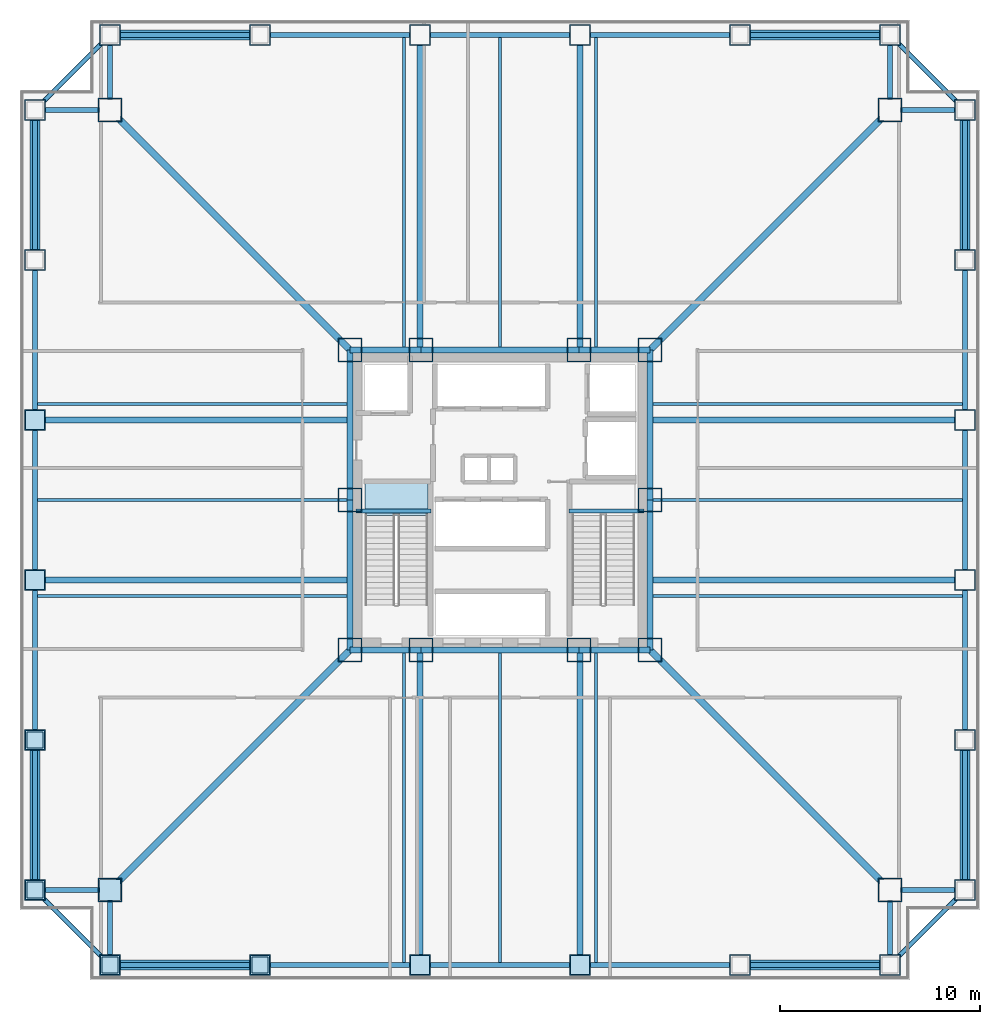
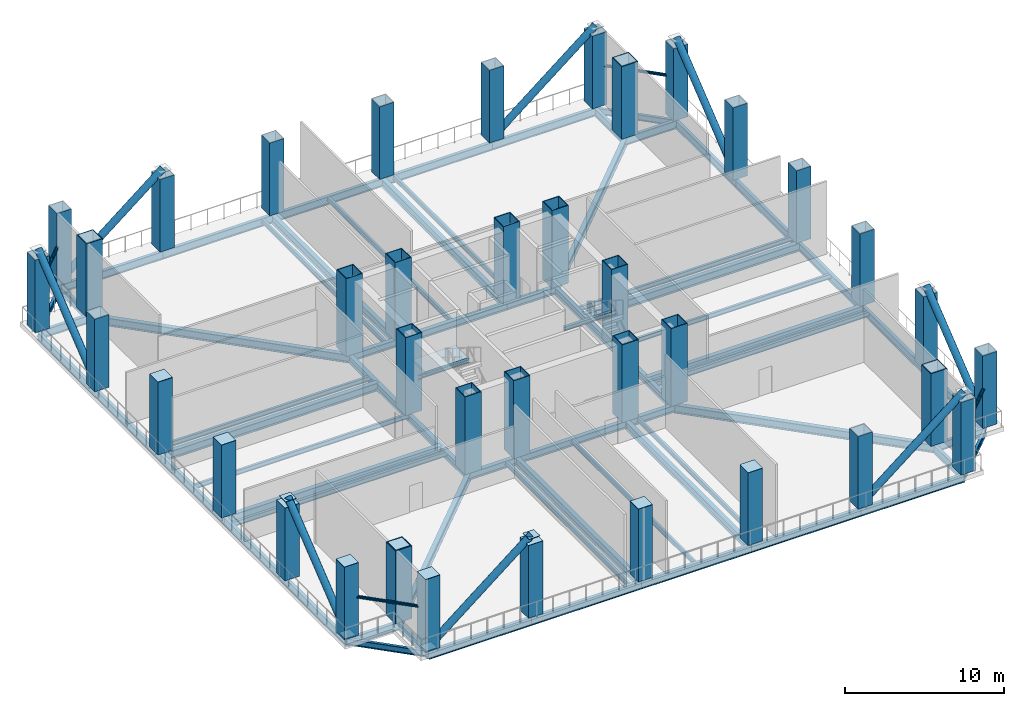
# One storey, part 1 of 7: 68 beams, 38 columns, 13 plates, 12 members, 1 slab, 1 element without a shape of its own.
"""IFC4 building model written with IfcOpenShell, lengths in metres."""

from ifc_helpers import new_model, si_unit, direction, frame, origin, origin_2d, place, context, subcontext, project, spatial, polyline, rectangle, hollow_rectangle, hollow_circle, i_section, outline, extrude, material, layer, layer_set, material_profile, profile_set, type_object, element, aggregate, save


model = new_model("IFC4")

# Units and contexts
model_context = context("Model", 3, precision=1e-05, world=origin(), true_north=direction((0.0, 1.0)))
body_context = subcontext(model_context, "Body", "Model", "MODEL_VIEW")
ifc_project = project(units=[si_unit("LENGTHUNIT", "METRE"), si_unit("AREAUNIT", "SQUARE_METRE"), si_unit("VOLUMEUNIT", "CUBIC_METRE"), si_unit("PLANEANGLEUNIT", "RADIAN"), si_unit("MASSUNIT", "GRAM", prefix="KILO")], contexts=[model_context])

# Site, building, storey
site_placement = place(None, origin())
site = spatial("IfcSite", under=ifc_project, at=site_placement, CompositionType="ELEMENT")
building_placement = place(site_placement, origin())
building = spatial("IfcBuilding", under=site, at=building_placement, Name="Trevonay Congress Spire", CompositionType="ELEMENT")
storey_placement = place(building_placement, frame((0.0, 0.0, 88.0)))
storey = spatial("IfcBuildingStorey", under=building, at=storey_placement, Name="L22", CompositionType="ELEMENT", Elevation=88.0)

# Columns
ifc_material_1 = material(Name="Steel ASTM A572 Grade 50", Category="steel")
ifc_material_profile_1 = material_profile(ifc_material_1, hollow_rectangle(XDim=1.199951171875, YDim=1.199951171875, WallThickness=0.054931640625, at=origin_2d()), Name="BOX 1200x1200x55")
ifc_profile_set_1 = profile_set([ifc_material_profile_1], Name="Steel ASTM A572 Grade 50")
column_type_1 = type_object("IfcColumnType", Name="COL-CORE-BOX1200", PredefinedType="COLUMN", material=ifc_profile_set_1)
for number, where, z_axis, x_axis, name in (
    (1, (-7.5, -7.5, 0.0), (0.0, 0.0, 1.0), (1.0, 0.0, 0.0), "L22 column C02 at CC-SW"),
    (2, (-3.949951171875, -7.5, 0.0), (0.0, 0.0, 1.0), (1.0, 0.0, 0.0), "L22 column C02 at CC-SMW"),
    (3, (3.949951171875, -7.5, 0.0), (0.0, 0.0, 1.0), (1.0, 0.0, 0.0), "L22 column C02 at CC-SME"),
    (4, (7.5, -7.5, 0.0), (0.0, 0.0, 1.0), (1.0, 0.0, 0.0), "L22 column C02 at CC-SE"),
    (5, (7.5, 0.0, 0.0), (0.0, 0.0, 1.0), (1.0, 0.0, 0.0), "L22 column C02 at CC-E"),
    (6, (7.5, 7.5, 0.0), (0.0, 0.0, 1.0), (1.0, 0.0, 0.0), "L22 column C02 at CC-NE"),
    (7, (3.949951171875, 7.5, 0.0), (0.0, 0.0, 1.0), (1.0, 0.0, 0.0), "L22 column C02 at CC-NME"),
    (8, (-3.949951171875, 7.5, 0.0), (0.0, 0.0, 1.0), (1.0, 0.0, 0.0), "L22 column C02 at CC-NMW"),
    (9, (-7.5, 7.5, 0.0), (0.0, 0.0, 1.0), (1.0, 0.0, 0.0), "L22 column C02 at CC-NW"),
    (10, (-7.5, 0.0, 0.0), (0.0, 0.0, 1.0), (1.0, 0.0, 0.0), "L22 column C02 at CC-W"),
):
    element("IfcColumn", number, at=place(storey_placement, frame(where, z_axis=z_axis, x_axis=x_axis)), inside=storey, type_object=column_type_1, Name=name, PredefinedType="COLUMN", context=body_context, shape_type="SweptSolid", body=[
        extrude(hollow_rectangle(XDim=1.199951171875, YDim=1.199951171875, WallThickness=0.054931640625, at=origin_2d()), origin(), (0.0, 0.0, 1.0), 6.0),
    ])
ifc_material_profile_2 = material_profile(ifc_material_1, hollow_rectangle(XDim=1.199951171875, YDim=1.199951171875, WallThickness=0.054931640625, at=origin_2d()), Name="BOX 1200x1200x55")
ifc_profile_set_2 = profile_set([ifc_material_profile_2], Name="Steel ASTM A572 Grade 50")
column_type_2 = type_object("IfcColumnType", Name="COL-NOTCH-BOX1200", PredefinedType="COLUMN", material=ifc_profile_set_2)
for number, where, z_axis, x_axis, name in (
    (11, (-19.5, -19.5, 0.0), (0.0, 0.0, 1.0), (1.0, 0.0, 0.0), "L22 column C19 at NC-SW"),
    (12, (19.5, -19.5, 0.0), (0.0, 0.0, 1.0), (1.0, 0.0, 0.0), "L22 column C19 at NC-SE"),
    (13, (19.5, 19.5, 0.0), (0.0, 0.0, 1.0), (1.0, 0.0, 0.0), "L22 column C19 at NC-NE"),
    (14, (-19.5, 19.5, 0.0), (0.0, 0.0, 1.0), (1.0, 0.0, 0.0), "L22 column C19 at NC-NW"),
):
    element("IfcColumn", number, at=place(storey_placement, frame(where, z_axis=z_axis, x_axis=x_axis)), inside=storey, type_object=column_type_2, Name=name, PredefinedType="COLUMN", context=body_context, shape_type="SweptSolid", body=[
        extrude(hollow_rectangle(XDim=1.199951171875, YDim=1.199951171875, WallThickness=0.054931640625, at=origin_2d()), origin(), (0.0, 0.0, 1.0), 5.60009765625),
    ])
ifc_material_profile_3 = material_profile(ifc_material_1, hollow_rectangle(XDim=1.050048828125, YDim=1.050048828125, WallThickness=0.050048828125, at=origin_2d()), Name="BOX 1050x1050x50")
ifc_profile_set_3 = profile_set([ifc_material_profile_3], Name="Steel ASTM A572 Grade 50")
column_type_3 = type_object("IfcColumnType", Name="COL-TUBE-BOX1050", PredefinedType="COLUMN", material=ifc_profile_set_3)
for number, where, z_axis, x_axis, name in (
    (15, (-19.5, -23.25, 0.0), (0.0, 0.0, 1.0), (1.0, 0.0, 0.0), "L22 column C14 at TS-1"),
    (16, (-19.5, 23.25, 0.0), (0.0, 0.0, 1.0), (1.0, 0.0, 0.0), "L22 column C14 at TN-1"),
    (17, (-23.25, -19.5, 0.0), (0.0, 0.0, 1.0), (1.0, 0.0, 0.0), "L22 column C14 at TW-1"),
    (18, (23.25, -19.5, 0.0), (0.0, 0.0, 1.0), (1.0, 0.0, 0.0), "L22 column C14 at TE-1"),
    (19, (-12.0, -23.25, 0.0), (0.0, 0.0, 1.0), (1.0, 0.0, 0.0), "L22 column C14 at TS-2"),
    (20, (-12.0, 23.25, 0.0), (0.0, 0.0, 1.0), (1.0, 0.0, 0.0), "L22 column C14 at TN-2"),
    (21, (-23.25, -12.0, 0.0), (0.0, 0.0, 1.0), (1.0, 0.0, 0.0), "L22 column C14 at TW-2"),
    (22, (23.25, -12.0, 0.0), (0.0, 0.0, 1.0), (1.0, 0.0, 0.0), "L22 column C14 at TE-2"),
    (23, (-4.0, -23.25, 0.0), (0.0, 0.0, 1.0), (1.0, 0.0, 0.0), "L22 column C14 at TS-3"),
    (24, (-4.0, 23.25, 0.0), (0.0, 0.0, 1.0), (1.0, 0.0, 0.0), "L22 column C14 at TN-3"),
    (25, (-23.25, -4.0, 0.0), (0.0, 0.0, 1.0), (1.0, 0.0, 0.0), "L22 column C14 at TW-3"),
    (26, (23.25, -4.0, 0.0), (0.0, 0.0, 1.0), (1.0, 0.0, 0.0), "L22 column C14 at TE-3"),
    (27, (4.0, -23.25, 0.0), (0.0, 0.0, 1.0), (1.0, 0.0, 0.0), "L22 column C14 at TS-4"),
    (28, (4.0, 23.25, 0.0), (0.0, 0.0, 1.0), (1.0, 0.0, 0.0), "L22 column C14 at TN-4"),
    (29, (-23.25, 4.0, 0.0), (0.0, 0.0, 1.0), (1.0, 0.0, 0.0), "L22 column C14 at TW-4"),
    (30, (23.25, 4.0, 0.0), (0.0, 0.0, 1.0), (1.0, 0.0, 0.0), "L22 column C14 at TE-4"),
    (31, (12.0, -23.25, 0.0), (0.0, 0.0, 1.0), (1.0, 0.0, 0.0), "L22 column C14 at TS-5"),
    (32, (12.0, 23.25, 0.0), (0.0, 0.0, 1.0), (1.0, 0.0, 0.0), "L22 column C14 at TN-5"),
    (33, (-23.25, 12.0, 0.0), (0.0, 0.0, 1.0), (1.0, 0.0, 0.0), "L22 column C14 at TW-5"),
    (34, (23.25, 12.0, 0.0), (0.0, 0.0, 1.0), (1.0, 0.0, 0.0), "L22 column C14 at TE-5"),
    (35, (19.5, -23.25, 0.0), (0.0, 0.0, 1.0), (1.0, 0.0, 0.0), "L22 column C14 at TS-6"),
    (36, (19.5, 23.25, 0.0), (0.0, 0.0, 1.0), (1.0, 0.0, 0.0), "L22 column C14 at TN-6"),
    (37, (-23.25, 19.5, 0.0), (0.0, 0.0, 1.0), (1.0, 0.0, 0.0), "L22 column C14 at TW-6"),
    (38, (23.25, 19.5, 0.0), (0.0, 0.0, 1.0), (1.0, 0.0, 0.0), "L22 column C14 at TE-6"),
):
    element("IfcColumn", number, at=place(storey_placement, frame(where, z_axis=z_axis, x_axis=x_axis)), inside=storey, type_object=column_type_3, Name=name, PredefinedType="COLUMN", context=body_context, shape_type="SweptSolid", body=[
        extrude(hollow_rectangle(XDim=1.050048828125, YDim=1.050048828125, WallThickness=0.050048828125, at=origin_2d()), origin(), (0.0, 0.0, 1.0), 5.60009765625),
    ])

# Beams
ifc_material_profile_4 = material_profile(ifc_material_1, i_section(OverallWidth=0.31201171875, OverallDepth=0.54296875, WebThickness=0.0126953125, FlangeThickness=0.020263671875, FilletRadius=0.014892578125, at=origin_2d()), Name="W530x150")
ifc_profile_set_4 = profile_set([ifc_material_profile_4], Name="Steel ASTM A572 Grade 50")
beam_type_1 = type_object("IfcBeamType", Name="BM-GIRD-W530X150", PredefinedType="BEAM", material=ifc_profile_set_4)
beam_1_placement = place(storey_placement, frame((-7.5, -7.5, -0.62158203125), z_axis=(1.0, 0.0, 0.0), x_axis=(0.0, 1.0, 0.0)))
element("IfcBeam", 39, at=beam_1_placement, inside=storey, type_object=beam_type_1, Name="L22 structural beam BM-L22-CR-S1", PredefinedType="BEAM", context=body_context, shape_type="SweptSolid", body=[
    extrude(i_section(OverallWidth=0.31201171875, OverallDepth=0.54296875, WebThickness=0.0126953125, FlangeThickness=0.020263671875, FilletRadius=0.014892578125, at=origin_2d()), origin(), (0.0, 0.0, 1.0), 3.550048828125),
])
beam_2_placement = place(storey_placement, frame((-3.949951171875, -7.5, -0.62158203125), z_axis=(1.0, 0.0, 0.0), x_axis=(0.0, 1.0, 0.0)))
element("IfcBeam", 40, at=beam_2_placement, inside=storey, type_object=beam_type_1, Name="L22 structural beam BM-L22-CR-S2", PredefinedType="BEAM", context=body_context, shape_type="SweptSolid", body=[
    extrude(i_section(OverallWidth=0.31201171875, OverallDepth=0.54296875, WebThickness=0.0126953125, FlangeThickness=0.020263671875, FilletRadius=0.014892578125, at=origin_2d()), origin(), (0.0, 0.0, 1.0), 7.89990234375),
])
for number, where, z_axis, x_axis, name in (
    (41, (3.949951171875, -7.5, -0.62158203125), (1.0, 0.0, 0.0), (0.0, 1.0, 0.0), "L22 structural beam BM-L22-CR-S3"),
    (42, (-7.5, 7.5, -0.62158203125), (1.0, 0.0, 0.0), (0.0, 1.0, 0.0), "L22 structural beam BM-L22-CR-N1"),
):
    element("IfcBeam", number, at=place(storey_placement, frame(where, z_axis=z_axis, x_axis=x_axis)), inside=storey, type_object=beam_type_1, Name=name, PredefinedType="BEAM", context=body_context, shape_type="SweptSolid", body=[
        extrude(i_section(OverallWidth=0.31201171875, OverallDepth=0.54296875, WebThickness=0.0126953125, FlangeThickness=0.020263671875, FilletRadius=0.014892578125, at=origin_2d()), origin(), (0.0, 0.0, 1.0), 3.550048828125),
    ])
beam_3_placement = place(storey_placement, frame((-3.949951171875, 7.5, -0.62158203125), z_axis=(1.0, 0.0, 0.0), x_axis=(0.0, 1.0, 0.0)))
element("IfcBeam", 43, at=beam_3_placement, inside=storey, type_object=beam_type_1, Name="L22 structural beam BM-L22-CR-N2", PredefinedType="BEAM", context=body_context, shape_type="SweptSolid", body=[
    extrude(i_section(OverallWidth=0.31201171875, OverallDepth=0.54296875, WebThickness=0.0126953125, FlangeThickness=0.020263671875, FilletRadius=0.014892578125, at=origin_2d()), origin(), (0.0, 0.0, 1.0), 7.89990234375),
])
beam_4_placement = place(storey_placement, frame((3.949951171875, 7.5, -0.62158203125), z_axis=(1.0, 0.0, 0.0), x_axis=(0.0, 1.0, 0.0)))
element("IfcBeam", 44, at=beam_4_placement, inside=storey, type_object=beam_type_1, Name="L22 structural beam BM-L22-CR-N3", PredefinedType="BEAM", context=body_context, shape_type="SweptSolid", body=[
    extrude(i_section(OverallWidth=0.31201171875, OverallDepth=0.54296875, WebThickness=0.0126953125, FlangeThickness=0.020263671875, FilletRadius=0.014892578125, at=origin_2d()), origin(), (0.0, 0.0, 1.0), 3.550048828125),
])
for number, where, z_axis, x_axis, name in (
    (45, (-7.5, -7.5, -0.62158203125), (0.0, 1.0, 0.0), (-1.0, 0.0, 0.0), "L22 structural beam BM-L22-CR-W1"),
    (46, (-7.5, 0.0, -0.62158203125), (0.0, 1.0, 0.0), (-1.0, 0.0, 0.0), "L22 structural beam BM-L22-CR-W2"),
    (47, (7.5, -7.5, -0.62158203125), (0.0, 1.0, 0.0), (-1.0, 0.0, 0.0), "L22 structural beam BM-L22-CR-E1"),
    (48, (7.5, 0.0, -0.62158203125), (0.0, 1.0, 0.0), (-1.0, 0.0, 0.0), "L22 structural beam BM-L22-CR-E2"),
):
    element("IfcBeam", number, at=place(storey_placement, frame(where, z_axis=z_axis, x_axis=x_axis)), inside=storey, type_object=beam_type_1, Name=name, PredefinedType="BEAM", context=body_context, shape_type="SweptSolid", body=[
        extrude(i_section(OverallWidth=0.31201171875, OverallDepth=0.54296875, WebThickness=0.0126953125, FlangeThickness=0.020263671875, FilletRadius=0.014892578125, at=origin_2d()), origin(), (0.0, 0.0, 1.0), 7.5),
    ])
ifc_material_profile_5 = material_profile(ifc_material_1, i_section(OverallWidth=0.324951171875, OverallDepth=0.615966796875, WebThickness=0.013916015625, FlangeThickness=0.021484375, FilletRadius=0.01806640625, at=origin_2d()), Name="W610x174")
ifc_profile_set_5 = profile_set([ifc_material_profile_5], Name="Steel ASTM A572 Grade 50")
beam_type_2 = type_object("IfcBeamType", Name="BM-GIRD-W610X174", PredefinedType="BEAM", material=ifc_profile_set_5)
for number, where, z_axis, x_axis, name in (
    (49, (-7.5, -7.5, -0.657958984375), (-0.707106781187, -0.707106781187, 0.0), (0.707106781187, -0.707106781187, 0.0), "L22 structural beam BM-L22-CDSW"),
    (50, (7.5, -7.5, -0.657958984375), (0.707106781187, -0.707106781187, 0.0), (0.707106781187, 0.707106781187, 0.0), "L22 structural beam BM-L22-CDSE"),
    (51, (7.5, 7.5, -0.657958984375), (0.707106781187, 0.707106781187, 0.0), (-0.707106781187, 0.707106781187, 0.0), "L22 structural beam BM-L22-CDNE"),
    (52, (-7.5, 7.5, -0.657958984375), (-0.707106781187, 0.707106781187, 0.0), (-0.707106781187, -0.707106781187, 0.0), "L22 structural beam BM-L22-CDNW"),
):
    element("IfcBeam", number, at=place(storey_placement, frame(where, z_axis=z_axis, x_axis=x_axis)), inside=storey, type_object=beam_type_2, Name=name, PredefinedType="BEAM", context=body_context, shape_type="SweptSolid", body=[
        extrude(i_section(OverallWidth=0.324951171875, OverallDepth=0.615966796875, WebThickness=0.013916015625, FlangeThickness=0.021484375, FilletRadius=0.01806640625, at=origin_2d()), origin(), (0.0, 0.0, 1.0), 16.970458984375),
    ])
for number, where, z_axis, x_axis, name in (
    (53, (-4.0, -7.5, -0.657958984375), (0.0, -1.0, 0.0), (1.0, 0.0, 0.0), "L22 structural beam BM-L22-GS-M"),
    (54, (-4.0, 7.5, -0.657958984375), (0.0, 1.0, 0.0), (-1.0, 0.0, 0.0), "L22 structural beam BM-L22-GN-M"),
    (55, (-7.5, -4.0, -0.657958984375), (-1.0, 0.0, 0.0), (0.0, -1.0, 0.0), "L22 structural beam BM-L22-GW-M"),
    (56, (7.5, -4.0, -0.657958984375), (1.0, 0.0, 0.0), (0.0, 1.0, 0.0), "L22 structural beam BM-L22-GE-M"),
    (57, (4.0, -7.5, -0.657958984375), (0.0, -1.0, 0.0), (1.0, 0.0, 0.0), "L22 structural beam BM-L22-GS-P"),
    (58, (4.0, 7.5, -0.657958984375), (0.0, 1.0, 0.0), (-1.0, 0.0, 0.0), "L22 structural beam BM-L22-GN-P"),
    (59, (-7.5, 4.0, -0.657958984375), (-1.0, 0.0, 0.0), (0.0, -1.0, 0.0), "L22 structural beam BM-L22-GW-P"),
    (60, (7.5, 4.0, -0.657958984375), (1.0, 0.0, 0.0), (0.0, 1.0, 0.0), "L22 structural beam BM-L22-GE-P"),
):
    element("IfcBeam", number, at=place(storey_placement, frame(where, z_axis=z_axis, x_axis=x_axis)), inside=storey, type_object=beam_type_2, Name=name, PredefinedType="BEAM", context=body_context, shape_type="SweptSolid", body=[
        extrude(i_section(OverallWidth=0.324951171875, OverallDepth=0.615966796875, WebThickness=0.013916015625, FlangeThickness=0.021484375, FilletRadius=0.01806640625, at=origin_2d()), origin(), (0.0, 0.0, 1.0), 15.75),
    ])
ifc_material_profile_6 = material_profile(ifc_material_1, i_section(OverallWidth=0.22998046875, OverallDepth=0.616943359375, WebThickness=0.01318359375, FlangeThickness=0.022216796875, FilletRadius=0.01611328125, at=origin_2d()), Name="W610x140")
ifc_profile_set_6 = profile_set([ifc_material_profile_6], Name="Steel ASTM A572 Grade 50")
beam_type_3 = type_object("IfcBeamType", Name="BM-RING-W610X140", PredefinedType="BEAM", material=ifc_profile_set_6)
for number, where, z_axis, x_axis, name in (
    (61, (-19.5, -23.25, -0.658447265625), (1.0, 0.0, 0.0), (0.0, 1.0, 0.0), "L22 structural beam BM-L22-PS1"),
    (62, (-19.5, 23.25, -0.658447265625), (1.0, 0.0, 0.0), (0.0, 1.0, 0.0), "L22 structural beam BM-L22-PN1"),
    (63, (-23.25, -19.5, -0.658447265625), (0.0, 1.0, 0.0), (-1.0, 0.0, 0.0), "L22 structural beam BM-L22-PW1"),
    (64, (23.25, -19.5, -0.658447265625), (0.0, 1.0, 0.0), (-1.0, 0.0, 0.0), "L22 structural beam BM-L22-PE1"),
):
    element("IfcBeam", number, at=place(storey_placement, frame(where, z_axis=z_axis, x_axis=x_axis)), inside=storey, type_object=beam_type_3, Name=name, PredefinedType="BEAM", context=body_context, shape_type="SweptSolid", body=[
        extrude(i_section(OverallWidth=0.22998046875, OverallDepth=0.616943359375, WebThickness=0.01318359375, FlangeThickness=0.022216796875, FilletRadius=0.01611328125, at=origin_2d()), origin(), (0.0, 0.0, 1.0), 7.5),
    ])
for number, where, z_axis, x_axis, name in (
    (65, (-12.0, -23.25, -0.658447265625), (1.0, 0.0, 0.0), (0.0, 1.0, 0.0), "L22 structural beam BM-L22-PS2"),
    (66, (-12.0, 23.25, -0.658447265625), (1.0, 0.0, 0.0), (0.0, 1.0, 0.0), "L22 structural beam BM-L22-PN2"),
    (67, (-23.25, -12.0, -0.658447265625), (0.0, 1.0, 0.0), (-1.0, 0.0, 0.0), "L22 structural beam BM-L22-PW2"),
    (68, (23.25, -12.0, -0.658447265625), (0.0, 1.0, 0.0), (-1.0, 0.0, 0.0), "L22 structural beam BM-L22-PE2"),
    (69, (-4.0, -23.25, -0.658447265625), (1.0, 0.0, 0.0), (0.0, 1.0, 0.0), "L22 structural beam BM-L22-PS3"),
    (70, (-4.0, 23.25, -0.658447265625), (1.0, 0.0, 0.0), (0.0, 1.0, 0.0), "L22 structural beam BM-L22-PN3"),
    (71, (-23.25, -4.0, -0.658447265625), (0.0, 1.0, 0.0), (-1.0, 0.0, 0.0), "L22 structural beam BM-L22-PW3"),
    (72, (23.25, -4.0, -0.658447265625), (0.0, 1.0, 0.0), (-1.0, 0.0, 0.0), "L22 structural beam BM-L22-PE3"),
    (73, (4.0, -23.25, -0.658447265625), (1.0, 0.0, 0.0), (0.0, 1.0, 0.0), "L22 structural beam BM-L22-PS4"),
    (74, (4.0, 23.25, -0.658447265625), (1.0, 0.0, 0.0), (0.0, 1.0, 0.0), "L22 structural beam BM-L22-PN4"),
    (75, (-23.25, 4.0, -0.658447265625), (0.0, 1.0, 0.0), (-1.0, 0.0, 0.0), "L22 structural beam BM-L22-PW4"),
    (76, (23.25, 4.0, -0.658447265625), (0.0, 1.0, 0.0), (-1.0, 0.0, 0.0), "L22 structural beam BM-L22-PE4"),
):
    element("IfcBeam", number, at=place(storey_placement, frame(where, z_axis=z_axis, x_axis=x_axis)), inside=storey, type_object=beam_type_3, Name=name, PredefinedType="BEAM", context=body_context, shape_type="SweptSolid", body=[
        extrude(i_section(OverallWidth=0.22998046875, OverallDepth=0.616943359375, WebThickness=0.01318359375, FlangeThickness=0.022216796875, FilletRadius=0.01611328125, at=origin_2d()), origin(), (0.0, 0.0, 1.0), 8.0),
    ])
for number, where, z_axis, x_axis, name in (
    (77, (12.0, -23.25, -0.658447265625), (1.0, 0.0, 0.0), (0.0, 1.0, 0.0), "L22 structural beam BM-L22-PS5"),
    (78, (12.0, 23.25, -0.658447265625), (1.0, 0.0, 0.0), (0.0, 1.0, 0.0), "L22 structural beam BM-L22-PN5"),
    (79, (-23.25, 12.0, -0.658447265625), (0.0, 1.0, 0.0), (-1.0, 0.0, 0.0), "L22 structural beam BM-L22-PW5"),
    (80, (23.25, 12.0, -0.658447265625), (0.0, 1.0, 0.0), (-1.0, 0.0, 0.0), "L22 structural beam BM-L22-PE5"),
):
    element("IfcBeam", number, at=place(storey_placement, frame(where, z_axis=z_axis, x_axis=x_axis)), inside=storey, type_object=beam_type_3, Name=name, PredefinedType="BEAM", context=body_context, shape_type="SweptSolid", body=[
        extrude(i_section(OverallWidth=0.22998046875, OverallDepth=0.616943359375, WebThickness=0.01318359375, FlangeThickness=0.022216796875, FilletRadius=0.01611328125, at=origin_2d()), origin(), (0.0, 0.0, 1.0), 7.5),
    ])
for number, where, z_axis, x_axis, name in (
    (81, (-19.5, -23.25, -0.658447265625), (0.0, 1.0, 0.0), (-1.0, 0.0, 0.0), "L22 structural beam BM-L22-N1SW"),
    (82, (-23.25, -19.5, -0.658447265625), (1.0, 0.0, 0.0), (0.0, 1.0, 0.0), "L22 structural beam BM-L22-N2SW"),
    (83, (19.5, -23.25, -0.658447265625), (0.0, 1.0, 0.0), (-1.0, 0.0, 0.0), "L22 structural beam BM-L22-N1SE"),
    (84, (23.25, -19.5, -0.658447265625), (-1.0, 0.0, 0.0), (0.0, -1.0, 0.0), "L22 structural beam BM-L22-N2SE"),
    (85, (19.5, 23.25, -0.658447265625), (0.0, -1.0, 0.0), (1.0, 0.0, 0.0), "L22 structural beam BM-L22-N1NE"),
    (86, (23.25, 19.5, -0.658447265625), (-1.0, 0.0, 0.0), (0.0, -1.0, 0.0), "L22 structural beam BM-L22-N2NE"),
    (87, (-19.5, 23.25, -0.658447265625), (0.0, -1.0, 0.0), (1.0, 0.0, 0.0), "L22 structural beam BM-L22-N1NW"),
    (88, (-23.25, 19.5, -0.658447265625), (1.0, 0.0, 0.0), (0.0, 1.0, 0.0), "L22 structural beam BM-L22-N2NW"),
):
    element("IfcBeam", number, at=place(storey_placement, frame(where, z_axis=z_axis, x_axis=x_axis)), inside=storey, type_object=beam_type_3, Name=name, PredefinedType="BEAM", context=body_context, shape_type="SweptSolid", body=[
        extrude(i_section(OverallWidth=0.22998046875, OverallDepth=0.616943359375, WebThickness=0.01318359375, FlangeThickness=0.022216796875, FilletRadius=0.01611328125, at=origin_2d()), origin(), (0.0, 0.0, 1.0), 3.75),
    ])
ifc_material_profile_7 = material_profile(ifc_material_1, i_section(OverallWidth=0.172119140625, OverallDepth=0.35791015625, WebThickness=0.0078125, FlangeThickness=0.01318359375, FilletRadius=0.011962890625, at=origin_2d()), Name="W360x57.8")
ifc_profile_set_7 = profile_set([ifc_material_profile_7], Name="Steel ASTM A572 Grade 50")
beam_type_4 = type_object("IfcBeamType", Name="JS-COMP-W360X57", PredefinedType="JOIST", material=ifc_profile_set_7)
for number, where, z_axis, x_axis, name in (
    (89, (-4.800048828125, -23.25, -0.529052734375), (0.0, 1.0, 0.0), (-1.0, 0.0, 0.0), "L22 structural beam JS-L22-NS-S1"),
    (90, (-4.800048828125, 7.5, -0.529052734375), (0.0, 1.0, 0.0), (-1.0, 0.0, 0.0), "L22 structural beam JS-L22-NS-N1"),
    (91, (-23.25, -4.800048828125, -0.529052734375), (1.0, 0.0, 0.0), (0.0, 1.0, 0.0), "L22 structural beam JS-L22-EW-W1"),
    (92, (7.5, -4.800048828125, -0.529052734375), (1.0, 0.0, 0.0), (0.0, 1.0, 0.0), "L22 structural beam JS-L22-EW-E1"),
    (93, (0.0, -23.25, -0.529052734375), (0.0, 1.0, 0.0), (-1.0, 0.0, 0.0), "L22 structural beam JS-L22-NS-S2"),
    (94, (0.0, 7.5, -0.529052734375), (0.0, 1.0, 0.0), (-1.0, 0.0, 0.0), "L22 structural beam JS-L22-NS-N2"),
    (95, (-23.25, 0.0, -0.529052734375), (1.0, 0.0, 0.0), (0.0, 1.0, 0.0), "L22 structural beam JS-L22-EW-W2"),
    (96, (7.5, 0.0, -0.529052734375), (1.0, 0.0, 0.0), (0.0, 1.0, 0.0), "L22 structural beam JS-L22-EW-E2"),
    (97, (4.800048828125, -23.25, -0.529052734375), (0.0, 1.0, 0.0), (-1.0, 0.0, 0.0), "L22 structural beam JS-L22-NS-S3"),
    (98, (4.800048828125, 7.5, -0.529052734375), (0.0, 1.0, 0.0), (-1.0, 0.0, 0.0), "L22 structural beam JS-L22-NS-N3"),
    (99, (-23.25, 4.800048828125, -0.529052734375), (1.0, 0.0, 0.0), (0.0, 1.0, 0.0), "L22 structural beam JS-L22-EW-W3"),
    (100, (7.5, 4.800048828125, -0.529052734375), (1.0, 0.0, 0.0), (0.0, 1.0, 0.0), "L22 structural beam JS-L22-EW-E3"),
):
    element("IfcBeam", number, at=place(storey_placement, frame(where, z_axis=z_axis, x_axis=x_axis)), inside=storey, type_object=beam_type_4, Name=name, PredefinedType="JOIST", context=body_context, shape_type="SweptSolid", body=[
        extrude(i_section(OverallWidth=0.172119140625, OverallDepth=0.35791015625, WebThickness=0.0078125, FlangeThickness=0.01318359375, FilletRadius=0.011962890625, at=origin_2d()), origin(), (0.0, 0.0, 1.0), 15.75),
    ])
ifc_material_profile_8 = material_profile(ifc_material_1, i_section(OverallWidth=0.2041015625, OverallDepth=0.305908203125, WebThickness=0.008544921875, FlangeThickness=0.0146484375, FilletRadius=0.010986328125, at=origin_2d()), Name="W310x67")
ifc_profile_set_8 = profile_set([ifc_material_profile_8], Name="Steel ASTM A572 Grade 50")
beam_type_5 = type_object("IfcBeamType", Name="LN-CORE-W310X67", PredefinedType="LINTEL", material=ifc_profile_set_8)
for number, where, z_axis, x_axis, name in (
    (101, (-7.199951171875, -0.550048828125, 2.64697265625), (1.0, 0.0, 0.0), (0.0, 1.0, 0.0), "L22 structural beam BM-L22-HL-ST1"),
    (102, (3.449951171875, -0.550048828125, 2.64697265625), (1.0, 0.0, 0.0), (0.0, 1.0, 0.0), "L22 structural beam BM-L22-HL-ST2"),
):
    element("IfcBeam", number, at=place(storey_placement, frame(where, z_axis=z_axis, x_axis=x_axis)), inside=storey, type_object=beam_type_5, Name=name, PredefinedType="LINTEL", context=body_context, shape_type="SweptSolid", body=[
        extrude(i_section(OverallWidth=0.2041015625, OverallDepth=0.305908203125, WebThickness=0.008544921875, FlangeThickness=0.0146484375, FilletRadius=0.010986328125, at=origin_2d()), origin(), (0.0, 0.0, 1.0), 3.75),
    ])

# Members
ifc_material_profile_9 = material_profile(ifc_material_1, hollow_circle(Radius=0.25390625, WallThickness=0.02490234375, at=origin_2d()), Name="CHS 508x25")
ifc_profile_set_9 = profile_set([ifc_material_profile_9], Name="Steel ASTM A572 Grade 50")
member_type_1 = type_object("IfcMemberType", Name="MBR-PORTAL-CHS508", PredefinedType="STRUT", material=ifc_profile_set_9)
for number, where, z_axis, x_axis, name in (
    (103, (-19.5, -23.25, -0.0400390625), (0.780868809443, 0.0, 0.624695047554), (0.0, 1.0, 0.0), "L22 wind portal diagonal strut S0"),
    (104, (12.0, -23.25, -0.0400390625), (0.780868809443, 0.0, 0.624695047554), (0.0, 1.0, 0.0), "L22 wind portal diagonal strut S4"),
    (105, (-19.5, 23.25, -0.0400390625), (0.780868809443, 0.0, 0.624695047554), (0.0, 1.0, 0.0), "L22 wind portal diagonal strut N0"),
    (106, (12.0, 23.25, -0.0400390625), (0.780868809443, 0.0, 0.624695047554), (0.0, 1.0, 0.0), "L22 wind portal diagonal strut N4"),
    (107, (-23.25, -19.5, -0.0400390625), (0.0, 0.780868809443, 0.624695047554), (-1.0, 0.0, 0.0), "L22 wind portal diagonal strut W0"),
    (108, (-23.25, 12.0, -0.0400390625), (0.0, 0.780868809443, 0.624695047554), (-1.0, 0.0, 0.0), "L22 wind portal diagonal strut W4"),
    (109, (23.25, -19.5, -0.0400390625), (0.0, 0.780868809443, 0.624695047554), (-1.0, 0.0, 0.0), "L22 wind portal diagonal strut E0"),
    (110, (23.25, 12.0, -0.0400390625), (0.0, 0.780868809443, 0.624695047554), (-1.0, 0.0, 0.0), "L22 wind portal diagonal strut E4"),
):
    element("IfcMember", number, at=place(storey_placement, frame(where, z_axis=z_axis, x_axis=x_axis)), inside=storey, type_object=member_type_1, Name=name, PredefinedType="STRUT", context=body_context, shape_type="SweptSolid", body=[
        extrude(hollow_circle(Radius=0.25390625, WallThickness=0.02490234375, at=origin_2d()), origin(), (0.0, 0.0, 1.0), 9.604736328125),
    ])
ifc_material_2 = material(Name="Steel ASTM A500 Grade C", Category="steel")
ifc_material_profile_10 = material_profile(ifc_material_2, hollow_circle(Radius=0.109619140625, WallThickness=0.012451171875, at=origin_2d()), Name="CHS 219.1x12.5")
ifc_profile_set_10 = profile_set([ifc_material_profile_10], Name="Steel ASTM A500 Grade C")
member_type_2 = type_object("IfcMemberType", Name="MBR-TIE-CHS219", PredefinedType="STRUT", material=ifc_profile_set_10)
for number, where, z_axis, x_axis, name in (
    (111, (-19.5, -23.25, 2.9599609375), (-0.707106781187, 0.707106781187, 0.0), (-0.707106781187, -0.707106781187, 0.0), "L22 wind portal corner tie strut SW"),
    (112, (19.5, -23.25, 2.9599609375), (0.707106781187, 0.707106781187, 0.0), (-0.707106781187, 0.707106781187, 0.0), "L22 wind portal corner tie strut SE"),
    (113, (19.5, 23.25, 2.9599609375), (0.707106781187, -0.707106781187, 0.0), (0.707106781187, 0.707106781187, 0.0), "L22 wind portal corner tie strut NE"),
    (114, (-19.5, 23.25, 2.9599609375), (-0.707106781187, -0.707106781187, 0.0), (0.707106781187, -0.707106781187, 0.0), "L22 wind portal corner tie strut NW"),
):
    element("IfcMember", number, at=place(storey_placement, frame(where, z_axis=z_axis, x_axis=x_axis)), inside=storey, type_object=member_type_2, Name=name, PredefinedType="STRUT", context=body_context, shape_type="SweptSolid", body=[
        extrude(hollow_circle(Radius=0.109619140625, WallThickness=0.012451171875, at=origin_2d()), origin(), (0.0, 0.0, 1.0), 5.30322265625),
    ])

# Beams
ifc_material_profile_11 = material_profile(ifc_material_1, i_section(OverallWidth=0.194091796875, OverallDepth=0.468994140625, WebThickness=0.011474609375, FlangeThickness=0.01953125, FilletRadius=0.013916015625, at=origin_2d()), Name="W460x106")
ifc_profile_set_11 = profile_set([ifc_material_profile_11], Name="Steel ASTM A572 Grade 50")
beam_type_6 = type_object("IfcBeamType", Name="SPB-HSS500", PredefinedType="SPANDREL", material=ifc_profile_set_11)
for number, where, z_axis, x_axis, name in (
    (115, (-19.5, -23.25, -0.58447265625), (-0.707106781187, 0.707106781187, 0.0), (-0.707106781187, -0.707106781187, 0.0), "L22 structural beam SPB-L22-SW"),
    (116, (19.5, -23.25, -0.58447265625), (0.707106781187, 0.707106781187, 0.0), (-0.707106781187, 0.707106781187, 0.0), "L22 structural beam SPB-L22-SE"),
    (117, (19.5, 23.25, -0.58447265625), (0.707106781187, -0.707106781187, 0.0), (0.707106781187, 0.707106781187, 0.0), "L22 structural beam SPB-L22-NE"),
    (118, (-19.5, 23.25, -0.58447265625), (-0.707106781187, -0.707106781187, 0.0), (0.707106781187, -0.707106781187, 0.0), "L22 structural beam SPB-L22-NW"),
):
    element("IfcBeam", number, at=place(storey_placement, frame(where, z_axis=z_axis, x_axis=x_axis)), inside=storey, type_object=beam_type_6, Name=name, PredefinedType="SPANDREL", context=body_context, shape_type="SweptSolid", body=[
        extrude(i_section(OverallWidth=0.194091796875, OverallDepth=0.468994140625, WebThickness=0.011474609375, FlangeThickness=0.01953125, FilletRadius=0.013916015625, at=origin_2d()), origin(), (0.0, 0.0, 1.0), 5.30322265625),
    ])

# Plates
ifc_layer_1 = layer(ifc_material_1, 0.034912109375, Name="Steel ASTM A572 Grade 50")
ifc_layer_set_1 = layer_set([ifc_layer_1], Name="Steel ASTM A572 Grade 50")
plate_type_1 = type_object("IfcPlateType", Name="PLT-ENDCAP-EXT-105", PredefinedType="USERDEFINED", material=ifc_layer_set_1)
for number, where, z_axis, x_axis, name in (
    (119, (-19.5, -23.25, 5.58251953125), (0.0, 0.0, 1.0), (1.0, 0.0, 0.0), "L22 hollow column end-cap plate at TS-1"),
    (120, (-23.25, -19.5, 5.58251953125), (0.0, 0.0, 1.0), (1.0, 0.0, 0.0), "L22 hollow column end-cap plate at TW-1"),
    (121, (-12.0, -23.25, 5.58251953125), (0.0, 0.0, 1.0), (1.0, 0.0, 0.0), "L22 hollow column end-cap plate at TS-2"),
    (122, (-23.25, -12.0, 5.58251953125), (0.0, 0.0, 1.0), (1.0, 0.0, 0.0), "L22 hollow column end-cap plate at TW-2"),
    (123, (-4.0, -23.25, 5.58251953125), (0.0, 0.0, 1.0), (1.0, 0.0, 0.0), "L22 hollow column end-cap plate at TS-3"),
    (124, (-23.25, -4.0, 5.58251953125), (0.0, 0.0, 1.0), (1.0, 0.0, 0.0), "L22 hollow column end-cap plate at TW-3"),
    (125, (4.0, -23.25, 5.58251953125), (0.0, 0.0, 1.0), (1.0, 0.0, 0.0), "L22 hollow column end-cap plate at TS-4"),
    (126, (-23.25, 4.0, 5.58251953125), (0.0, 0.0, 1.0), (1.0, 0.0, 0.0), "L22 hollow column end-cap plate at TW-4"),
    (127, (-19.5, -19.5, 5.58251953125), (0.0, 0.0, 1.0), (1.0, 0.0, 0.0), "L22 hollow column end-cap plate at NC-SW"),
):
    element("IfcPlate", number, at=place(storey_placement, frame(where, z_axis=z_axis, x_axis=x_axis)), inside=storey, type_object=plate_type_1, Name=name, ObjectType="CAP_PLATE", PredefinedType="USERDEFINED", context=body_context, shape_type="SweptSolid", body=[
        extrude(rectangle(XDim=1.050048828125, YDim=1.050048828125, at=origin_2d()), origin(), (0.0, 0.0, 1.0), 0.034912109375),
    ])
ifc_layer_2 = layer(ifc_material_1, 0.030029296875, Name="Steel ASTM A572 Grade 50")
ifc_layer_set_2 = layer_set([ifc_layer_2], Name="Steel ASTM A572 Grade 50")
plate_type_2 = type_object("IfcPlateType", Name="PLT-ENDCAP-EXT-80", PredefinedType="USERDEFINED", material=ifc_layer_set_2)
for number, where, z_axis, x_axis, name in (
    (128, (-19.5, -23.25, -0.05517578125), (0.0, 0.0, 1.0), (1.0, 0.0, 0.0), "L22 wind portal strut sealed end-cap plate S0-A"),
    (129, (-12.0, -23.25, 5.94482421875), (0.0, 0.0, 1.0), (1.0, 0.0, 0.0), "L22 wind portal strut sealed end-cap plate S0-B"),
    (130, (-23.25, -19.5, -0.05517578125), (0.0, 0.0, 1.0), (1.0, 0.0, 0.0), "L22 wind portal strut sealed end-cap plate W0-A"),
    (131, (-23.25, -12.0, 5.94482421875), (0.0, 0.0, 1.0), (1.0, 0.0, 0.0), "L22 wind portal strut sealed end-cap plate W0-B"),
):
    element("IfcPlate", number, at=place(storey_placement, frame(where, z_axis=z_axis, x_axis=x_axis)), inside=storey, type_object=plate_type_2, Name=name, ObjectType="CAP_PLATE", PredefinedType="USERDEFINED", context=body_context, shape_type="SweptSolid", body=[
        extrude(rectangle(XDim=0.800048828125, YDim=0.800048828125, at=origin_2d()), origin(), (0.0, 0.0, 1.0), 0.030029296875),
    ])

# Stair, slab
ifc_material_3 = material(Name="Concrete C40/50", Category="concrete")
stair_type = type_object("IfcStairType", Name="STR-ST-1", PredefinedType="HALF_TURN_STAIR", material=ifc_material_3)
stair_placement = place(storey_placement, origin())
stair = element("IfcStair", 132, at=stair_placement, inside=storey, type_object=stair_type, Name="L22 Protected Exit Stair ST-1", PredefinedType="HALF_TURN_STAIR")
ifc_layer_3 = layer(ifc_material_3, 0.199951171875, Name="Concrete C40/50")
ifc_layer_set_3 = layer_set([ifc_layer_3], Name="Concrete C40/50")
slab_type = type_object("IfcSlabType", Name="SLB-STAIR-LAND-200", PredefinedType="LANDING", material=ifc_layer_set_3)
slab_placement = place(storey_placement, frame((0.0, 0.0, 2.800048828125)))
slab = element("IfcSlab", 133, at=slab_placement, type_object=slab_type, Name="ST-1 landing 1", PredefinedType="LANDING", context=body_context, shape_type="SweptSolid", body=[
    extrude(outline(polyline([(-3.60009765625, -0.77001953125), (-3.60009765625, 0.85009765625), (-6.75, 0.85009765625), (-6.75, -0.77001953125), (-3.60009765625, -0.77001953125)])), origin(), (0.0, 0.0, 1.0), 0.199951171875),
])
aggregate(stair, [slab])

save(model, "model.ifc")
